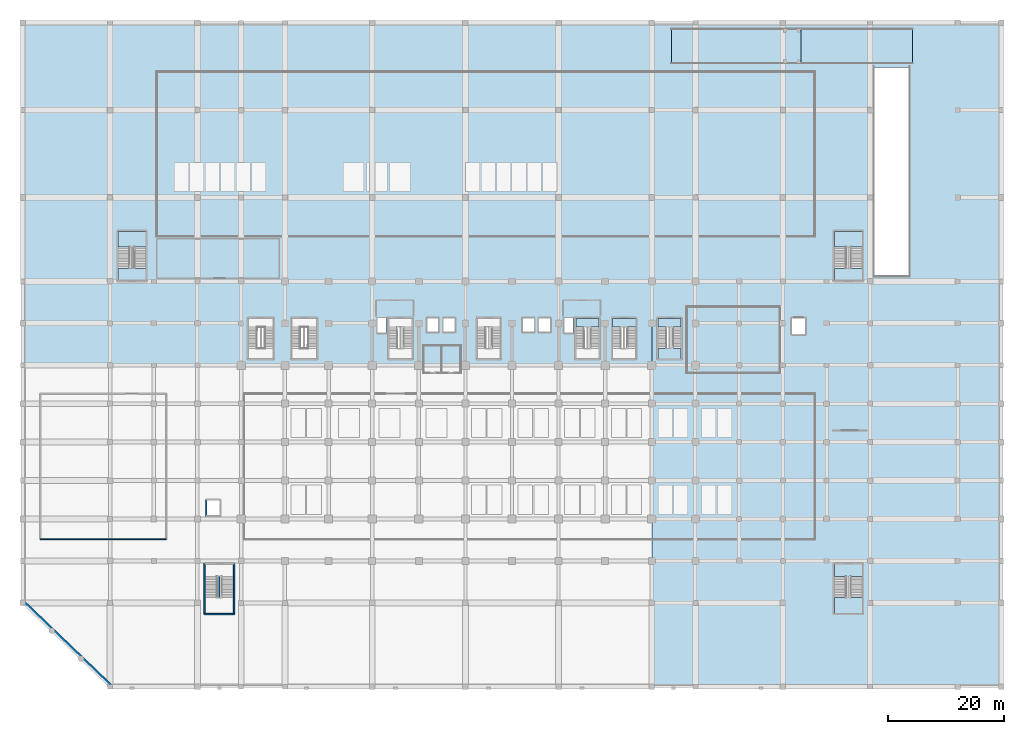
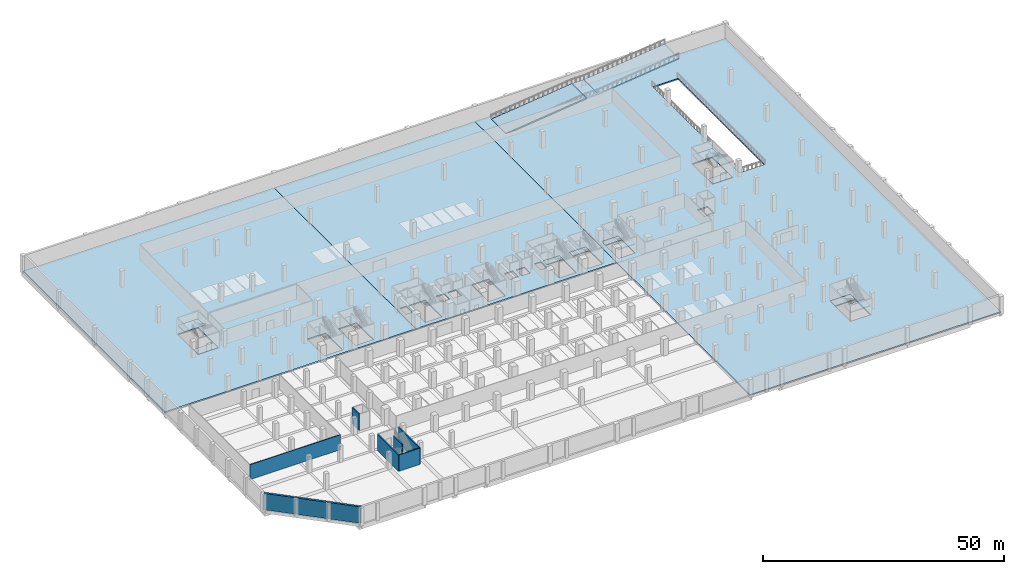
# One storey, part 6 of 25: 16 slabs, 7 walls, 4 elements without a shape of their own.
"""IFC4 building model written with IfcOpenShell, lengths in metres."""

from ifc_helpers import new_model, si_unit, direction, frame, frame_2d, origin, place, context, subcontext, project, spatial, polyline, rectangle, outline, extrude, material, layer, layer_set, type_object, element, aggregate, save


model = new_model("IFC4")

# Units and contexts
model_context = context("Model", 3, precision=1e-05, world=origin(), true_north=direction((0.0, 1.0)))
body_context = subcontext(model_context, "Body", "Model", "MODEL_VIEW")
ifc_project = project(units=[si_unit("LENGTHUNIT", "METRE"), si_unit("AREAUNIT", "SQUARE_METRE"), si_unit("VOLUMEUNIT", "CUBIC_METRE"), si_unit("PLANEANGLEUNIT", "RADIAN"), si_unit("MASSUNIT", "GRAM", prefix="KILO")], contexts=[model_context])

# Site, building, storey
site_placement = place(None, origin())
site = spatial("IfcSite", under=ifc_project, at=site_placement, CompositionType="ELEMENT")
building_placement = place(site_placement, origin())
building = spatial("IfcBuilding", under=site, at=building_placement, Name="Akrevak Sports Hall", CompositionType="ELEMENT")
storey_placement = place(building_placement, frame((0.0, 0.0, -4.5)))
storey = spatial("IfcBuildingStorey", under=building, at=storey_placement, Name="B01", CompositionType="ELEMENT", Elevation=-4.5)

# Slabs
ifc_material_1 = material(Name="Concrete C40/50", Category="concrete")
ifc_layer_1 = layer(ifc_material_1, 0.320068359375, Name="Concrete C40/50")
ifc_layer_set_1 = layer_set([ifc_layer_1], Name="Concrete C40/50")
slab_type_1 = type_object("IfcSlabType", Name="STR-SLB-FLR-320", PredefinedType="FLOOR", material=ifc_layer_set_1)
slab_1_placement = place(storey_placement, frame((0.0, 0.0, -0.320068359375)))
element("IfcSlab", 1, at=slab_1_placement, inside=storey, type_object=slab_type_1, Name="Structural Floor Slab B01-2.1", PredefinedType="FLOOR", context=body_context, shape_type="SweptSolid", body=[
    extrude(outline(polyline([(0.0, 55.199951171875), (60.0, 55.199951171875), (60.0, 114.0), (0.0, 114.0), (0.0, 55.199951171875)]), holes=[polyline([(43.050048828125, 63.25), (43.050048828125, 56.300048828125), (38.75, 56.300048828125), (38.75, 63.25), (43.050048828125, 63.25)]), polyline([(50.449951171875, 56.300048828125), (46.14990234375, 56.300048828125), (46.14990234375, 63.25), (50.449951171875, 63.25), (50.449951171875, 56.300048828125)]), polyline([(21.14990234375, 69.75), (16.35009765625, 69.75), (16.35009765625, 78.199951171875), (21.14990234375, 78.199951171875), (21.14990234375, 69.75)])]), origin(), (0.0, 0.0, 1.0), 0.320068359375),
])
slab_2_placement = place(storey_placement, frame((0.0, 0.0, -0.320068359375)))
element("IfcSlab", 2, at=slab_2_placement, inside=storey, type_object=slab_type_1, Name="Structural Floor Slab B01-4.1", PredefinedType="FLOOR", context=body_context, shape_type="SweptSolid", body=[
    extrude(outline(polyline([(60.0, 114.0), (60.0, 55.199951171875), (108.0, 55.199951171875), (108.0, 114.0), (60.0, 114.0)]), holes=[polyline([(66.85009765625, 56.300048828125), (62.85009765625, 56.300048828125), (62.85009765625, 63.25), (66.85009765625, 63.25), (66.85009765625, 56.300048828125)]), polyline([(82.0, 63.25), (82.0, 56.300048828125), (78.0, 56.300048828125), (78.0, 63.25), (82.0, 63.25)]), polyline([(62.3798828125, 63.280029296875), (62.3798828125, 60.77001953125), (60.8701171875, 60.77001953125), (60.8701171875, 63.280029296875), (62.3798828125, 63.280029296875)]), polyline([(71.3798828125, 63.280029296875), (71.3798828125, 60.919921875), (69.419921875, 60.919921875), (69.419921875, 63.280029296875), (71.3798828125, 63.280029296875)]), polyline([(74.179931640625, 60.919921875), (72.219970703125, 60.919921875), (72.219970703125, 63.280029296875), (74.179931640625, 63.280029296875), (74.179931640625, 60.919921875)]), polyline([(98.949951171875, 63.25), (98.949951171875, 56.300048828125), (94.949951171875, 56.300048828125), (94.949951171875, 63.25), (98.949951171875, 63.25)]), polyline([(105.25, 63.25), (105.25, 56.300048828125), (101.25, 56.300048828125), (101.25, 63.25), (105.25, 63.25)]), polyline([(94.47998046875, 63.280029296875), (94.47998046875, 60.77001953125), (92.969970703125, 60.77001953125), (92.969970703125, 63.280029296875), (94.47998046875, 63.280029296875)]), polyline([(87.780029296875, 63.280029296875), (87.780029296875, 60.919921875), (85.820068359375, 60.919921875), (85.820068359375, 63.280029296875), (87.780029296875, 63.280029296875)]), polyline([(90.580078125, 63.280029296875), (90.580078125, 60.919921875), (88.6201171875, 60.919921875), (88.6201171875, 63.280029296875), (90.580078125, 63.280029296875)])]), origin(), (0.0, 0.0, 1.0), 0.320068359375),
])
slab_3_placement = place(storey_placement, frame((0.0, 0.0, -0.320068359375)))
element("IfcSlab", 3, at=slab_3_placement, inside=storey, type_object=slab_type_1, Name="Structural Floor Slab B01-5.1", PredefinedType="FLOOR", context=body_context, shape_type="SweptSolid", body=[
    extrude(outline(polyline([(108.0, 114.0), (108.0, 0.0), (168.0, 0.0), (168.0, 114.0), (108.0, 114.0)]), holes=[polyline([(144.14990234375, 21.050048828125), (144.14990234375, 12.60009765625), (139.35009765625, 12.60009765625), (139.35009765625, 21.050048828125), (144.14990234375, 21.050048828125)]), polyline([(113.050048828125, 56.300048828125), (109.050048828125, 56.300048828125), (109.050048828125, 63.25), (113.050048828125, 63.25), (113.050048828125, 56.300048828125)]), polyline([(134.3798828125, 60.52001953125), (132.02001953125, 60.52001953125), (132.02001953125, 63.280029296875), (134.3798828125, 63.280029296875), (134.3798828125, 60.52001953125)]), polyline([(144.14990234375, 69.75), (139.35009765625, 69.75), (139.35009765625, 78.199951171875), (144.14990234375, 78.199951171875), (144.14990234375, 69.75)]), polyline([(152.199951171875, 70.5), (146.199951171875, 70.5), (146.199951171875, 106.35009765625), (152.199951171875, 106.35009765625), (152.199951171875, 70.5)])]), origin(), (0.0, 0.0, 1.0), 0.320068359375),
])

# Stair, slab
stair_type_1 = type_object("IfcStairType", Name="ARC-STR-PDOG-450", PredefinedType="HALF_TURN_STAIR", material=ifc_material_1)
stair_1_placement = place(storey_placement, origin())
stair_1 = element("IfcStair", 4, at=stair_1_placement, inside=storey, type_object=stair_type_1, Name="Podium NW Exit Stair ST6 (B01 to L00)", PredefinedType="HALF_TURN_STAIR")
ifc_layer_2 = layer(ifc_material_1, 0.199951171875, Name="Concrete C40/50")
ifc_layer_set_2 = layer_set([ifc_layer_2], Name="Concrete C40/50")
slab_type_2 = type_object("IfcSlabType", Name="STR-SLB-LAND-200", PredefinedType="LANDING", material=ifc_layer_set_2)
slab_4_placement = place(storey_placement, frame((0.0, 0.0, 2.050048828125)))
slab_4 = element("IfcSlab", 5, at=slab_4_placement, type_object=slab_type_2, Name="Stair ST6 Half-Landing 1 (B01)", PredefinedType="LANDING", context=body_context, shape_type="SweptSolid", body=[
    extrude(outline(polyline([(16.35009765625, 75.489990234375), (21.14990234375, 75.489990234375), (21.14990234375, 78.199951171875), (16.35009765625, 78.199951171875), (16.35009765625, 75.489990234375)])), origin(), (0.0, 0.0, 1.0), 0.199951171875),
])
aggregate(stair_1, [slab_4])

stair_2_placement = place(storey_placement, origin())
stair_2 = element("IfcStair", 6, at=stair_2_placement, inside=storey, type_object=stair_type_1, Name="Podium SE Exit Stair ST7 (B01 to L00)", PredefinedType="HALF_TURN_STAIR")
slab_5_placement = place(storey_placement, frame((0.0, 0.0, 2.050048828125)))
slab_5 = element("IfcSlab", 7, at=slab_5_placement, type_object=slab_type_2, Name="Stair ST7 Half-Landing 1 (B01)", PredefinedType="LANDING", context=body_context, shape_type="SweptSolid", body=[
    extrude(outline(polyline([(139.35009765625, 12.60009765625), (144.14990234375, 12.60009765625), (144.14990234375, 15.31005859375), (139.35009765625, 15.31005859375), (139.35009765625, 12.60009765625)])), origin(), (0.0, 0.0, 1.0), 0.199951171875),
])
aggregate(stair_2, [slab_5])

stair_3_placement = place(storey_placement, origin())
stair_3 = element("IfcStair", 8, at=stair_3_placement, inside=storey, type_object=stair_type_1, Name="Podium NE Exit Stair ST8 (B01 to L00)", PredefinedType="HALF_TURN_STAIR")
slab_6_placement = place(storey_placement, frame((0.0, 0.0, 2.050048828125)))
slab_6 = element("IfcSlab", 9, at=slab_6_placement, type_object=slab_type_2, Name="Stair ST8 Half-Landing 1 (B01)", PredefinedType="LANDING", context=body_context, shape_type="SweptSolid", body=[
    extrude(outline(polyline([(139.35009765625, 75.489990234375), (144.14990234375, 75.489990234375), (144.14990234375, 78.199951171875), (139.35009765625, 78.199951171875), (139.35009765625, 75.489990234375)])), origin(), (0.0, 0.0, 1.0), 0.199951171875),
])
aggregate(stair_3, [slab_6])

stair_type_2 = type_object("IfcStairType", Name="ARC-STR-DOG-450", PredefinedType="HALF_TURN_STAIR", material=ifc_material_1)
stair_4_placement = place(storey_placement, origin())
stair_4 = element("IfcStair", 10, at=stair_4_placement, inside=storey, type_object=stair_type_2, Name="East Transfer Exit Stair ST11 (B01 to L00)", PredefinedType="HALF_TURN_STAIR")
slab_7_placement = place(storey_placement, frame((0.0, 0.0, 2.050048828125)))
slab_7 = element("IfcSlab", 11, at=slab_7_placement, type_object=slab_type_2, Name="Stair ST11 Half-Landing 1 (B01)", PredefinedType="LANDING", context=body_context, shape_type="SweptSolid", body=[
    extrude(outline(polyline([(109.050048828125, 56.300048828125), (113.050048828125, 56.300048828125), (113.050048828125, 58.094970703125), (109.050048828125, 58.094970703125), (109.050048828125, 56.300048828125)])), origin(), (0.0, 0.0, 1.0), 0.199951171875),
])
aggregate(stair_4, [slab_7])

# Slabs
ifc_layer_3 = layer(ifc_material_1, 0.219970703125, Name="Concrete C40/50")
ifc_layer_set_3 = layer_set([ifc_layer_3], Name="Concrete C40/50")
slab_type_3 = type_object("IfcSlabType", Name="STR-SLB-LAND-220", PredefinedType="LANDING", material=ifc_layer_set_3)
slab_8_placement = place(storey_placement, frame((0.0, 0.0, -0.219970703125)))
element("IfcSlab", 12, at=slab_8_placement, inside=storey, type_object=slab_type_3, Name="Stair ST2 Floor Landing (B01)", PredefinedType="LANDING", context=body_context, shape_type="SweptSolid", body=[
    extrude(outline(polyline([(94.949951171875, 61.735107421875), (98.949951171875, 61.735107421875), (98.949951171875, 63.25), (94.949951171875, 63.25), (94.949951171875, 61.735107421875)])), origin(), (0.0, 0.0, 1.0), 0.219970703125),
])
slab_9_placement = place(storey_placement, frame((0.0, 0.0, -0.219970703125)))
element("IfcSlab", 13, at=slab_9_placement, inside=storey, type_object=slab_type_3, Name="Stair ST6 Floor Landing (B01)", PredefinedType="LANDING", context=body_context, shape_type="SweptSolid", body=[
    extrude(outline(polyline([(16.35009765625, 69.75), (21.14990234375, 69.75), (21.14990234375, 71.85009765625), (16.35009765625, 71.85009765625), (16.35009765625, 69.75)])), origin(), (0.0, 0.0, 1.0), 0.219970703125),
])
slab_10_placement = place(storey_placement, frame((0.0, 0.0, -0.219970703125)))
element("IfcSlab", 14, at=slab_10_placement, inside=storey, type_object=slab_type_3, Name="Stair ST7 Floor Landing (B01)", PredefinedType="LANDING", context=body_context, shape_type="SweptSolid", body=[
    extrude(outline(polyline([(139.35009765625, 18.949951171875), (144.14990234375, 18.949951171875), (144.14990234375, 21.050048828125), (139.35009765625, 21.050048828125), (139.35009765625, 18.949951171875)])), origin(), (0.0, 0.0, 1.0), 0.219970703125),
])
slab_11_placement = place(storey_placement, frame((0.0, 0.0, -0.219970703125)))
element("IfcSlab", 15, at=slab_11_placement, inside=storey, type_object=slab_type_3, Name="Stair ST8 Floor Landing (B01)", PredefinedType="LANDING", context=body_context, shape_type="SweptSolid", body=[
    extrude(outline(polyline([(139.35009765625, 69.75), (144.14990234375, 69.75), (144.14990234375, 71.85009765625), (139.35009765625, 71.85009765625), (139.35009765625, 69.75)])), origin(), (0.0, 0.0, 1.0), 0.219970703125),
])
slab_12_placement = place(storey_placement, frame((0.0, 0.0, -0.219970703125)))
element("IfcSlab", 16, at=slab_12_placement, inside=storey, type_object=slab_type_3, Name="Stair ST10 Floor Landing (B01)", PredefinedType="LANDING", context=body_context, shape_type="SweptSolid", body=[
    extrude(outline(polyline([(101.25, 61.735107421875), (105.25, 61.735107421875), (105.25, 63.25), (101.25, 63.25), (101.25, 61.735107421875)])), origin(), (0.0, 0.0, 1.0), 0.219970703125),
])
slab_13_placement = place(storey_placement, frame((0.0, 0.0, -0.219970703125)))
element("IfcSlab", 17, at=slab_13_placement, inside=storey, type_object=slab_type_3, Name="Stair ST11 Floor Landing (B01)", PredefinedType="LANDING", context=body_context, shape_type="SweptSolid", body=[
    extrude(outline(polyline([(109.050048828125, 61.735107421875), (113.050048828125, 61.735107421875), (113.050048828125, 63.25), (109.050048828125, 63.25), (109.050048828125, 61.735107421875)])), origin(), (0.0, 0.0, 1.0), 0.219970703125),
])
ifc_layer_4 = layer(ifc_material_1, 0.280029296875, Name="Concrete C40/50")
ifc_layer_set_4 = layer_set([ifc_layer_4], Name="Concrete C40/50")
slab_type_4 = type_object("IfcSlabType", Name="STR-SLB-RMP-LAND", PredefinedType="LANDING", material=ifc_layer_set_4)
slab_14_placement = place(storey_placement, frame((0.0, 0.0, 1.969970703125)))
element("IfcSlab", 18, at=slab_14_placement, inside=storey, type_object=slab_type_4, Name="Car park vehicle ramp R2 mid landing", PredefinedType="LANDING", context=body_context, shape_type="SweptSolid", body=[
    extrude(outline(polyline([(130.60009765625, 107.0), (133.60009765625, 107.0), (133.60009765625, 113.0), (130.60009765625, 113.0), (130.60009765625, 107.0)])), origin(), (0.0, 0.0, 1.0), 0.280029296875),
])
ifc_layer_5 = layer(ifc_material_1, 0.300048828125, Name="Concrete C40/50")
ifc_layer_set_5 = layer_set([ifc_layer_5], Name="Concrete C40/50")
slab_type_5 = type_object("IfcSlabType", Name="STR-SLB-RMP-R2", PredefinedType="USERDEFINED", material=ifc_layer_set_5)
for number, where, z_axis, x_axis, name in (
    (19, (111.39990234375, 110.0, 0.0), (0.0, 0.0, 1.0), (1.0, 0.0, 0.0), "Car park vehicle ramp R2 lower flight"),
    (20, (133.5, 110.0, 2.25), (0.0, 0.0, 1.0), (1.0, 0.0, 0.0), "Car park vehicle ramp R2 upper flight"),
):
    element("IfcSlab", number, at=place(storey_placement, frame(where, z_axis=z_axis, x_axis=x_axis)), inside=storey, type_object=slab_type_5, Name=name, ObjectType="VEHICLE RAMP SLAB", PredefinedType="USERDEFINED", context=body_context, shape_type="SweptSolid", body=[
        extrude(outline(polyline([(0.0, 0.0), (19.300048828125, 2.25), (19.300048828125, 1.949951171875), (0.0, -0.300048828125), (0.0, 0.0)])), frame((0.0, 3.0, 0.0), z_axis=(0.0, -1.0, 0.0), x_axis=(1.0, 0.0, 0.0)), (0.0, 0.0, 1.0), 6.0),
    ])

# Walls
ifc_material_2 = material(Name="Autoclaved Aerated Masonry Block", Category="masonry")
ifc_layer_6 = layer(ifc_material_2, 0.179931640625, Name="Autoclaved Aerated Masonry Block")
ifc_layer_set_6 = layer_set([ifc_layer_6], Name="Autoclaved Aerated Masonry Block")
wall_type_1 = type_object("IfcWallType", Name="ARC-WL-PRT-180", PredefinedType="PARTITIONING", material=ifc_layer_set_6)
wall_1_placement = place(storey_placement, frame((3.0, 25.300048828125, 0.0), z_axis=(0.0, 0.0, 1.0), x_axis=(1.0, 0.0, 0.0)))
element("IfcWall", 21, at=wall_1_placement, inside=storey, type_object=wall_type_1, Name="Interior Partition Central Mechanical & Chiller Plant B01 (S)", PredefinedType="PARTITIONING", context=body_context, shape_type="SweptSolid", body=[
    extrude(rectangle(XDim=21.60009765625, YDim=0.179931640625, at=frame_2d((10.800048828125, 0.0))), origin(), (0.0, 0.0, 1.0), 3.780029296875),
])
ifc_layer_7 = layer(ifc_material_1, 0.219970703125, Name="Concrete C40/50")
ifc_layer_set_7 = layer_set([ifc_layer_7], Name="Concrete C40/50")
wall_type_2 = type_object("IfcWallType", Name="ARC-WL-PRT-220", PredefinedType="PARTITIONING", material=ifc_layer_set_7)
wall_2_placement = place(storey_placement, frame((33.75, 15.31005859375, 0.0), z_axis=(0.0, 0.0, 1.0), x_axis=(0.0, 1.0, 0.0)))
element("IfcWall", 22, at=wall_2_placement, inside=storey, type_object=wall_type_2, Name="Stair ST5 Central Spine Wall (B01)", PredefinedType="PARTITIONING", context=body_context, shape_type="SweptSolid", body=[
    extrude(rectangle(XDim=3.639892578125, YDim=0.219970703125, at=frame_2d((1.81982421875, 0.0))), origin(), (0.0, 0.0, 1.0), 4.14990234375),
])
ifc_material_3 = material(Name="Concrete C50/60", Category="concrete")
ifc_layer_8 = layer(ifc_material_3, 0.219970703125, Name="Concrete C50/60")
ifc_layer_set_8 = layer_set([ifc_layer_8], Name="Concrete C50/60")
wall_type_3 = type_object("IfcWallType", Name="ARC-WL-SHAFT-220", PredefinedType="SHEAR", material=ifc_layer_set_8)
wall_3_placement = place(storey_placement, frame((31.510009765625, 32.090087890625, 0.0), z_axis=(0.0, 0.0, 1.0), x_axis=(0.0, -1.0, 0.0)))
element("IfcWall", 23, at=wall_3_placement, inside=storey, type_object=wall_type_3, Name="Lift Shaft LF-G1 Wall W (B01)", PredefinedType="SHEAR", context=body_context, shape_type="SweptSolid", body=[
    extrude(rectangle(XDim=2.780029296875, YDim=0.219970703125, at=frame_2d((1.39013671875, 0.0))), origin(), (0.0, 0.0, 1.0), 4.14990234375),
])
ifc_layer_9 = layer(ifc_material_1, 0.47998046875, Name="Concrete C40/50")
ifc_layer_set_9 = layer_set([ifc_layer_9], Name="Concrete C40/50")
wall_type_4 = type_object("IfcWallType", Name="STR-WL-RET-480", PredefinedType="SOLIDWALL", material=ifc_layer_set_9)
wall_4_placement = place(storey_placement, frame((0.166259765625, 14.572998046875, 0.0), z_axis=(0.0, 0.0, 1.0), x_axis=(0.721389667345, -0.692529384104, 0.0)))
element("IfcWall", 24, at=wall_4_placement, inside=storey, type_object=wall_type_4, Name="Basement Retaining Wall B01-5", PredefinedType="SOLIDWALL", context=body_context, shape_type="SweptSolid", body=[
    extrude(rectangle(XDim=20.793212890625, YDim=0.47998046875, at=frame_2d((10.396484375, 0.0))), origin(), (0.0, 0.0, 1.0), 4.14990234375),
])
ifc_layer_10 = layer(ifc_material_3, 0.25, Name="Concrete C50/60")
ifc_layer_set_10 = layer_set([ifc_layer_10], Name="Concrete C50/60")
wall_type_5 = type_object("IfcWallType", Name="STR-WL-STAIR-250", PredefinedType="SHEAR", material=ifc_layer_set_10)
wall_5_placement = place(storey_placement, frame((31.22509765625, 12.47509765625, 0.0), z_axis=(0.0, 0.0, 1.0), x_axis=(1.0, 0.0, 0.0)))
element("IfcWall", 25, at=wall_5_placement, inside=storey, type_object=wall_type_5, Name="Stair Core ST5 Shear Wall S (B01)", PredefinedType="SHEAR", context=body_context, shape_type="SweptSolid", body=[
    extrude(rectangle(XDim=5.0498046875, YDim=0.25, at=frame_2d((2.52490234375, 0.0))), origin(), (0.0, 0.0, 1.0), 4.14990234375),
])
for number, where, z_axis, x_axis, name in (
    (26, (31.22509765625, 21.175048828125, 0.0), (0.0, 0.0, 1.0), (0.0, -1.0, 0.0), "Stair Core ST5 Shear Wall W (B01)"),
    (27, (36.27490234375, 12.47509765625, 0.0), (0.0, 0.0, 1.0), (0.0, 1.0, 0.0), "Stair Core ST5 Shear Wall E (B01)"),
):
    element("IfcWall", number, at=place(storey_placement, frame(where, z_axis=z_axis, x_axis=x_axis)), inside=storey, type_object=wall_type_5, Name=name, PredefinedType="SHEAR", context=body_context, shape_type="SweptSolid", body=[
        extrude(rectangle(XDim=8.699951171875, YDim=0.25, at=frame_2d((4.35009765625, 0.0))), origin(), (0.0, 0.0, 1.0), 4.14990234375),
    ])

save(model, "model.ifc")
